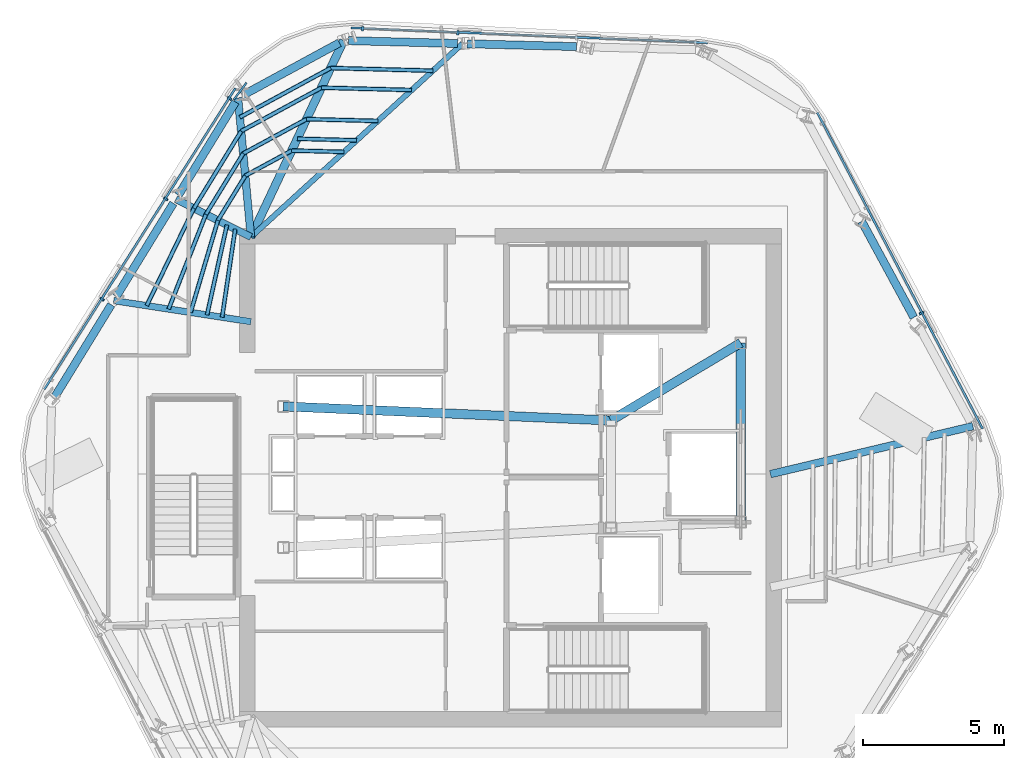
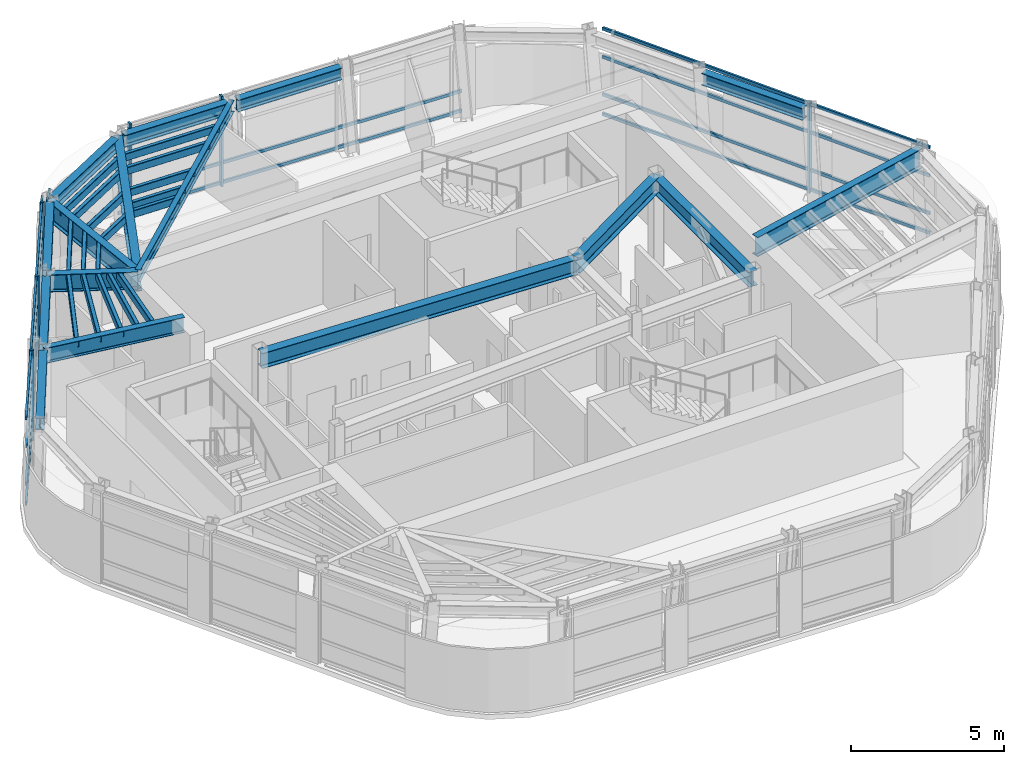
# One storey, part 4 of 13: 34 members, 16 beams, 3 elements without a shape of their own.
"""IFC4 building model written with IfcOpenShell, lengths in metres."""

from ifc_helpers import new_model, si_unit, direction, frame, origin, origin_2d, place, context, subcontext, project, spatial, rectangle, hollow_rectangle, i_section, extrude, material, layer, layer_set, material_profile, profile_set, type_object, element, aggregate, save


model = new_model("IFC4")

# Units and contexts
model_context = context("Model", 3, precision=1e-05, world=origin(), true_north=direction((0.0, 1.0)))
body_context = subcontext(model_context, "Body", "Model", "MODEL_VIEW")
ifc_project = project(units=[si_unit("LENGTHUNIT", "METRE"), si_unit("AREAUNIT", "SQUARE_METRE"), si_unit("VOLUMEUNIT", "CUBIC_METRE"), si_unit("PLANEANGLEUNIT", "RADIAN"), si_unit("MASSUNIT", "GRAM", prefix="KILO")], contexts=[model_context])

# Site, building, storey
site_placement = place(None, origin())
site = spatial("IfcSite", under=ifc_project, at=site_placement, CompositionType="ELEMENT")
building_placement = place(site_placement, origin())
building = spatial("IfcBuilding", under=site, at=building_placement, Name="Valkerne Bourse Tower", CompositionType="ELEMENT")
storey_placement = place(building_placement, frame((0.0, 0.0, 273.60009765625)))
storey = spatial("IfcBuildingStorey", under=building, at=storey_placement, Name="L69", CompositionType="ELEMENT", Elevation=273.60009765625)

# Beams
ifc_material_1 = material(Name="Steel ASTM A992", Category="steel")
ifc_material_profile_1 = material_profile(ifc_material_1, i_section(OverallWidth=0.284423828125, OverallDepth=0.47509765625, WebThickness=0.014892578125, FlangeThickness=0.02392578125, FilletRadius=0.017822265625, at=origin_2d()), Name="W18X106")
ifc_profile_set_1 = profile_set([ifc_material_profile_1], Name="Steel ASTM A992")
beam_type_1 = type_object("IfcBeamType", Name="BM-W18X106", PredefinedType="BEAM", material=ifc_profile_set_1)
beam_1_placement = place(storey_placement, frame((49.13330078125, 42.142822265625, 3.3623046875), z_axis=(-0.999657618241, 0.026165746551, 0.0), x_axis=(-0.026165746551, -0.999657618241, 0.0)))
element("IfcBeam", 1, at=beam_1_placement, inside=storey, type_object=beam_type_1, Name="L69 Hexagonal Spandrel Ring Beam 01", PredefinedType="BEAM", context=body_context, shape_type="SweptSolid", body=[
    extrude(i_section(OverallWidth=0.284423828125, OverallDepth=0.47509765625, WebThickness=0.014892578125, FlangeThickness=0.02392578125, FilletRadius=0.017822265625, at=origin_2d()), origin(), (0.0, 0.0, 1.0), 3.8720703125),
])
beam_2_placement = place(storey_placement, frame((44.922607421875, 42.253173828125, 3.3623046875), z_axis=(-0.99965757507, 0.02616739584, 0.0), x_axis=(-0.02616739584, -0.99965757507, 0.0)))
element("IfcBeam", 2, at=beam_2_placement, inside=storey, type_object=beam_type_1, Name="L69 Hexagonal Spandrel Ring Beam 02", PredefinedType="BEAM", context=body_context, shape_type="SweptSolid", body=[
    extrude(i_section(OverallWidth=0.284423828125, OverallDepth=0.47509765625, WebThickness=0.014892578125, FlangeThickness=0.02392578125, FilletRadius=0.017822265625, at=origin_2d()), origin(), (0.0, 0.0, 1.0), 3.871826171875),
])
beam_3_placement = place(storey_placement, frame((40.732666015625, 42.27783203125, 3.3623046875), z_axis=(-0.878816082178, -0.47716065817, 0.0), x_axis=(0.47716065817, -0.878816082178, 0.0)))
element("IfcBeam", 3, at=beam_3_placement, inside=storey, type_object=beam_type_1, Name="L69 Hexagonal Spandrel Ring Beam 03", PredefinedType="BEAM", context=body_context, shape_type="SweptSolid", body=[
    extrude(i_section(OverallWidth=0.284423828125, OverallDepth=0.47509765625, WebThickness=0.014892578125, FlangeThickness=0.02392578125, FilletRadius=0.017822265625, at=origin_2d()), origin(), (0.0, 0.0, 1.0), 3.915771484375),
])
for number, where, z_axis, x_axis, name in (
    (4, (37.05322265625, 40.183349609375, 3.3623046875), (-0.522502916633, -0.852637497481, 0.0), (0.852637497481, -0.522502916633, 0.0), "L69 Hexagonal Spandrel Ring Beam 04"),
    (5, (34.8525390625, 36.592041015625, 3.3623046875), (-0.522502916633, -0.852637497481, 0.0), (0.852637497481, -0.522502916633, 0.0), "L69 Hexagonal Spandrel Ring Beam 05"),
    (6, (32.65185546875, 33.000732421875, 3.3623046875), (-0.522502916633, -0.852637497481, 0.0), (0.852637497481, -0.522502916633, 0.0), "L69 Hexagonal Spandrel Ring Beam 06"),
    (7, (61.080810546875, 32.55078125, 3.3623046875), (-0.477172563431, 0.878809618011, 0.0), (-0.878809618011, -0.477172563431, 0.0), "L69 Hexagonal Spandrel Ring Beam 21"),
):
    element("IfcBeam", number, at=place(storey_placement, frame(where, z_axis=z_axis, x_axis=x_axis)), inside=storey, type_object=beam_type_1, Name=name, PredefinedType="BEAM", context=body_context, shape_type="SweptSolid", body=[
        extrude(i_section(OverallWidth=0.284423828125, OverallDepth=0.47509765625, WebThickness=0.014892578125, FlangeThickness=0.02392578125, FilletRadius=0.017822265625, at=origin_2d()), origin(), (0.0, 0.0, 1.0), 3.8720703125),
    ])
ifc_material_profile_2 = material_profile(ifc_material_1, i_section(OverallWidth=0.1904296875, OverallDepth=0.457275390625, WebThickness=0.009033203125, FlangeThickness=0.014404296875, FilletRadius=0.01513671875, at=origin_2d()), Name="W18X50")
ifc_profile_set_2 = profile_set([ifc_material_profile_2], Name="Steel ASTM A992")
beam_type_2 = type_object("IfcBeamType", Name="BM-W18X50", PredefinedType="JOIST", material=ifc_profile_set_2)
beam_4_placement = place(storey_placement, frame((45.092529296875, 42.248779296875, 3.371337890625), z_axis=(-0.738094854581, -0.674696958375, 0.0), x_axis=(0.674696958375, -0.738094854581, 0.0)))
element("IfcBeam", 8, at=beam_4_placement, inside=storey, type_object=beam_type_2, Name="L69 Radial Composite Floor Beam 02", PredefinedType="JOIST", context=body_context, shape_type="SweptSolid", body=[
    extrude(i_section(OverallWidth=0.1904296875, OverallDepth=0.457275390625, WebThickness=0.009033203125, FlangeThickness=0.014404296875, FilletRadius=0.01513671875, at=origin_2d()), origin(), (0.0, 0.0, 1.0), 10.151123046875),
])
ifc_material_profile_3 = material_profile(ifc_material_1, i_section(OverallWidth=0.3251953125, OverallDepth=0.612060546875, WebThickness=0.0126953125, FlangeThickness=0.01904296875, FilletRadius=0.020263671875, at=origin_2d()), Name="W24X104")
ifc_profile_set_3 = profile_set([ifc_material_profile_3], Name="Steel ASTM A992")
beam_type_3 = type_object("IfcBeamType", Name="BM-W24X104", PredefinedType="BEAM", material=ifc_profile_set_3)
beam_5_placement = place(storey_placement, frame((50.35009765625, 28.89990234375, 3.293701171875), z_axis=(0.858307823492, 0.513135148019, 0.0), x_axis=(-0.513135148019, 0.858307823492, 0.0)))
element("IfcBeam", 9, at=beam_5_placement, inside=storey, type_object=beam_type_3, Name="L69 Core Frame Girder CG-NE", PredefinedType="BEAM", context=body_context, shape_type="SweptSolid", body=[
    extrude(i_section(OverallWidth=0.3251953125, OverallDepth=0.612060546875, WebThickness=0.0126953125, FlangeThickness=0.01904296875, FilletRadius=0.020263671875, at=origin_2d()), origin(), (0.0, 0.0, 1.0), 5.359130859375),
])
beam_6_placement = place(storey_placement, frame((54.949951171875, 25.300048828125, 3.293701171875), z_axis=(0.0, 1.0, 0.0), x_axis=(-1.0, 0.0, 0.0)))
element("IfcBeam", 10, at=beam_6_placement, inside=storey, type_object=beam_type_3, Name="L69 Core Frame Girder CG-EE", PredefinedType="BEAM", context=body_context, shape_type="SweptSolid", body=[
    extrude(i_section(OverallWidth=0.3251953125, OverallDepth=0.612060546875, WebThickness=0.0126953125, FlangeThickness=0.01904296875, FilletRadius=0.020263671875, at=origin_2d()), origin(), (0.0, 0.0, 1.0), 6.349853515625),
])
beam_7_placement = place(storey_placement, frame((38.75, 29.39990234375, 3.293701171875), z_axis=(0.999072354402, -0.043063101019, 0.0), x_axis=(0.043063101019, 0.999072354402, 0.0)))
element("IfcBeam", 11, at=beam_7_placement, inside=storey, type_object=beam_type_3, Name="L69 Core Frame Girder CG-NW", PredefinedType="BEAM", context=body_context, shape_type="SweptSolid", body=[
    extrude(i_section(OverallWidth=0.3251953125, OverallDepth=0.612060546875, WebThickness=0.0126953125, FlangeThickness=0.01904296875, FilletRadius=0.020263671875, at=origin_2d()), origin(), (0.0, 0.0, 1.0), 11.61083984375),
])
ifc_material_profile_4 = material_profile(ifc_material_1, i_section(OverallWidth=0.228271484375, OverallDepth=0.607177734375, WebThickness=0.01123046875, FlangeThickness=0.017333984375, FilletRadius=0.017822265625, at=origin_2d()), Name="W24X76")
ifc_profile_set_4 = profile_set([ifc_material_profile_4], Name="Steel ASTM A992")
beam_type_4 = type_object("IfcBeamType", Name="BM-W24X76", PredefinedType="JOIST", material=ifc_profile_set_4)
beam_8_placement = place(storey_placement, frame((32.740478515625, 33.145751953125, 3.29638671875), z_axis=(0.988426170868, -0.151702685355, 0.0), x_axis=(0.151702685355, 0.988426170868, 0.0)))
element("IfcBeam", 12, at=beam_8_placement, inside=storey, type_object=beam_type_4, Name="L69 Radial Composite Floor Beam 06", PredefinedType="JOIST", context=body_context, shape_type="SweptSolid", body=[
    extrude(i_section(OverallWidth=0.228271484375, OverallDepth=0.607177734375, WebThickness=0.01123046875, FlangeThickness=0.017333984375, FilletRadius=0.017822265625, at=origin_2d()), origin(), (0.0, 0.0, 1.0), 4.91650390625),
])
ifc_material_profile_5 = material_profile(ifc_material_1, i_section(OverallWidth=0.255859375, OverallDepth=0.693359375, WebThickness=0.014404296875, FlangeThickness=0.023681640625, FilletRadius=0.02294921875, at=origin_2d()), Name="W27X114")
ifc_profile_set_5 = profile_set([ifc_material_profile_5], Name="Steel ASTM A992")
beam_type_5 = type_object("IfcBeamType", Name="BM-W27X114", PredefinedType="BEAM", material=ifc_profile_set_5)
beam_9_placement = place(storey_placement, frame((34.94140625, 36.737060546875, 3.253173828125), z_axis=(0.89337466155, -0.449312490478, 0.0), x_axis=(0.449312490478, 0.89337466155, 0.0)))
element("IfcBeam", 13, at=beam_9_placement, inside=storey, type_object=beam_type_5, Name="L69 Radial Composite Floor Beam 05", PredefinedType="BEAM", context=body_context, shape_type="SweptSolid", body=[
    extrude(i_section(OverallWidth=0.255859375, OverallDepth=0.693359375, WebThickness=0.014404296875, FlangeThickness=0.023681640625, FilletRadius=0.02294921875, at=origin_2d()), origin(), (0.0, 0.0, 1.0), 2.97607421875),
])
ifc_material_profile_6 = material_profile(ifc_material_1, i_section(OverallWidth=0.26806640625, OverallDepth=0.76953125, WebThickness=0.015625, FlangeThickness=0.025390625, FilletRadius=0.025390625, at=origin_2d()), Name="W30X132")
ifc_profile_set_6 = profile_set([ifc_material_profile_6], Name="Steel ASTM A992")
beam_type_6 = type_object("IfcBeamType", Name="BM-W30X132", PredefinedType="BEAM", material=ifc_profile_set_6)
beam_10_placement = place(storey_placement, frame((37.14208984375, 40.328369140625, 3.215087890625), z_axis=(0.09253238967, -0.995709674987, 0.0), x_axis=(0.995709674987, 0.09253238967, 0.0)))
element("IfcBeam", 14, at=beam_10_placement, inside=storey, type_object=beam_type_6, Name="L69 Radial Composite Floor Beam 04", PredefinedType="BEAM", context=body_context, shape_type="SweptSolid", body=[
    extrude(i_section(OverallWidth=0.26806640625, OverallDepth=0.76953125, WebThickness=0.015625, FlangeThickness=0.025390625, FilletRadius=0.025390625, at=origin_2d()), origin(), (0.0, 0.0, 1.0), 4.94970703125),
])
beam_11_placement = place(storey_placement, frame((63.171630859375, 28.69970703125, 3.215087890625), z_axis=(-0.973044892077, -0.230615780039, 0.0), x_axis=(0.230615780039, -0.973044892077, 0.0)))
element("IfcBeam", 15, at=beam_11_placement, inside=storey, type_object=beam_type_6, Name="L69 Radial Composite Floor Beam 20", PredefinedType="BEAM", context=body_context, shape_type="SweptSolid", body=[
    extrude(i_section(OverallWidth=0.26806640625, OverallDepth=0.76953125, WebThickness=0.015625, FlangeThickness=0.025390625, FilletRadius=0.025390625, at=origin_2d()), origin(), (0.0, 0.0, 1.0), 7.370361328125),
])
ifc_material_profile_7 = material_profile(ifc_material_1, i_section(OverallWidth=0.2919921875, OverallDepth=0.8583984375, WebThickness=0.01708984375, FlangeThickness=0.031005859375, FilletRadius=0.025390625, at=origin_2d()), Name="W33X169")
ifc_profile_set_7 = profile_set([ifc_material_profile_7], Name="Steel ASTM A992")
beam_type_7 = type_object("IfcBeamType", Name="BM-W33X169", PredefinedType="BEAM", material=ifc_profile_set_7)
beam_12_placement = place(storey_placement, frame((40.882080078125, 42.35888671875, 3.170654296875), z_axis=(-0.426559417166, -0.904459542283, 0.0), x_axis=(0.904459542283, -0.426559417166, 0.0)))
element("IfcBeam", 16, at=beam_12_placement, inside=storey, type_object=beam_type_7, Name="L69 Radial Composite Floor Beam 03", PredefinedType="BEAM", context=body_context, shape_type="SweptSolid", body=[
    extrude(i_section(OverallWidth=0.2919921875, OverallDepth=0.8583984375, WebThickness=0.01708984375, FlangeThickness=0.031005859375, FilletRadius=0.025390625, at=origin_2d()), origin(), (0.0, 0.0, 1.0), 7.694091796875),
])

# Curtain wall, members
ifc_material_2 = material(Name="Aluminium AA 6063-T6", Category="aluminium")
ifc_layer = layer(ifc_material_2, 0.2451171875)
ifc_layer_set = layer_set([ifc_layer], Name="Aluminium AA 6063-T6")
curtain_wall_type = type_object("IfcCurtainWallType", Name="CW-05", PredefinedType="NOTDEFINED", material=ifc_layer_set)
curtain_wall_1_placement = place(storey_placement, origin())
curtain_wall_1 = element("IfcCurtainWall", 17, at=curtain_wall_1_placement, inside=storey, type_object=curtain_wall_type, Name="L69 Hexagonal Stick Curtain Wall Face 1", PredefinedType="NOTDEFINED")
ifc_material_profile_8 = material_profile(ifc_material_2, rectangle(XDim=0.074951171875, YDim=0.159912109375, at=origin_2d()), Name="CWM-75X160")
ifc_profile_set_8 = profile_set([ifc_material_profile_8], Name="Aluminium AA 6063-T6")
member_type_1 = type_object("IfcMemberType", Name="CW-MUL-160X75", PredefinedType="MULLION", material=ifc_profile_set_8)
member_1_placement = place(storey_placement, frame((44.927001953125, 42.630859375, 0.0), z_axis=(0.0, 0.0, 1.0), x_axis=(-0.999122631709, 0.041880386903, 0.0)))
member_1 = element("IfcMember", 18, at=member_1_placement, type_object=member_type_1, Name="CW-L69-F1 Jamb Mullion 02A", PredefinedType="MULLION", context=body_context, shape_type="SweptSolid", body=[
    extrude(rectangle(XDim=0.074951171875, YDim=0.159912109375, at=origin_2d()), origin(), (0.0, 0.0, 1.0), 3.599853515625),
])
member_2_placement = place(storey_placement, frame((41.557861328125, 42.772216796875, 0.0), z_axis=(0.0, 0.0, 1.0), x_axis=(-0.999122631709, 0.041880386903, 0.0)))
member_2 = element("IfcMember", 19, at=member_2_placement, type_object=member_type_1, Name="CW-L69-F1 Jamb Mullion 02B", PredefinedType="MULLION", context=body_context, shape_type="SweptSolid", body=[
    extrude(rectangle(XDim=0.074951171875, YDim=0.159912109375, at=origin_2d()), origin(), (0.0, 0.0, 1.0), 3.599853515625),
])

curtain_wall_2_placement = place(storey_placement, origin())
curtain_wall_2 = element("IfcCurtainWall", 20, at=curtain_wall_2_placement, inside=storey, type_object=curtain_wall_type, Name="L69 Hexagonal Stick Curtain Wall Face 2", PredefinedType="NOTDEFINED")
member_3_placement = place(storey_placement, frame((36.840576171875, 40.305908203125, 0.0), z_axis=(0.0, 0.0, 1.0), x_axis=(-0.535816628188, -0.844334377458, 0.0)))
member_3 = element("IfcMember", 21, at=member_3_placement, type_object=member_type_1, Name="CW-L69-F2 Jamb Mullion 00A", PredefinedType="MULLION", context=body_context, shape_type="SweptSolid", body=[
    extrude(rectangle(XDim=0.074951171875, YDim=0.159912109375, at=origin_2d()), origin(), (0.0, 0.0, 1.0), 3.599853515625),
])
member_4_placement = place(storey_placement, frame((34.58349609375, 36.74951171875, 0.0), z_axis=(0.0, 0.0, 1.0), x_axis=(-0.535827369105, -0.84432756115, 0.0)))
member_4 = element("IfcMember", 22, at=member_4_placement, type_object=member_type_1, Name="CW-L69-F2 Jamb Mullion 01A", PredefinedType="MULLION", context=body_context, shape_type="SweptSolid", body=[
    extrude(rectangle(XDim=0.074951171875, YDim=0.159912109375, at=origin_2d()), origin(), (0.0, 0.0, 1.0), 3.599853515625),
])
member_5_placement = place(storey_placement, frame((32.32666015625, 33.193359375, 0.0), z_axis=(0.0, 0.0, 1.0), x_axis=(-0.535827369105, -0.84432756115, 0.0)))
member_5 = element("IfcMember", 23, at=member_5_placement, type_object=member_type_1, Name="CW-L69-F2 Jamb Mullion 02A", PredefinedType="MULLION", context=body_context, shape_type="SweptSolid", body=[
    extrude(rectangle(XDim=0.074951171875, YDim=0.159912109375, at=origin_2d()), origin(), (0.0, 0.0, 1.0), 3.599853515625),
])

# Curtain wall, member
curtain_wall_3_placement = place(storey_placement, origin())
curtain_wall_3 = element("IfcCurtainWall", 24, at=curtain_wall_3_placement, inside=storey, type_object=curtain_wall_type, Name="L69 Hexagonal Stick Curtain Wall Face 6", PredefinedType="NOTDEFINED")
member_6_placement = place(storey_placement, frame((61.3515625, 32.704833984375, 0.0), z_axis=(0.0, 0.0, 1.0), x_axis=(-0.463294468527, 0.886204398225, 0.0)))
member_6 = element("IfcMember", 25, at=member_6_placement, type_object=member_type_1, Name="CW-L69-F6 Jamb Mullion 01A", PredefinedType="MULLION", context=body_context, shape_type="SweptSolid", body=[
    extrude(rectangle(XDim=0.074951171875, YDim=0.159912109375, at=origin_2d()), origin(), (0.0, 0.0, 1.0), 3.599853515625),
])

# Member
ifc_material_profile_9 = material_profile(ifc_material_2, rectangle(XDim=0.074951171875, YDim=0.1201171875, at=origin_2d()), Name="CWT-75X120")
ifc_profile_set_9 = profile_set([ifc_material_profile_9], Name="Aluminium AA 6063-T6")
member_type_2 = type_object("IfcMemberType", Name="CW-TRN-120X75", PredefinedType="USERDEFINED", material=ifc_profile_set_9)
member_7_placement = place(storey_placement, frame((53.763916015625, 42.280517578125, 0.119873046875), z_axis=(-0.999122290866, 0.041888517464, 0.0), x_axis=(-0.041888517464, -0.999122290866, 0.0)))
member_7 = element("IfcMember", 26, at=member_7_placement, type_object=member_type_2, Name="CW-L69-F1 Continuous Face Transom 1", ObjectType="TRANSOM", PredefinedType="USERDEFINED", context=body_context, shape_type="SweptSolid", body=[
    extrude(rectangle(XDim=0.074951171875, YDim=0.1201171875, at=origin_2d()), origin(), (0.0, 0.0, 1.0), 12.6357421875),
])

member_8_placement = place(storey_placement, frame((53.763916015625, 42.280517578125, 0.89990234375), z_axis=(-0.999122290866, 0.041888517464, 0.0), x_axis=(-0.041888517464, -0.999122290866, 0.0)))
member_8 = element("IfcMember", 27, at=member_8_placement, type_object=member_type_2, Name="CW-L69-F1 Continuous Face Transom 2", ObjectType="TRANSOM", PredefinedType="USERDEFINED", context=body_context, shape_type="SweptSolid", body=[
    extrude(rectangle(XDim=0.074951171875, YDim=0.1201171875, at=origin_2d()), origin(), (0.0, 0.0, 1.0), 12.6357421875),
])

aggregate(curtain_wall_1, [member_7, member_8, member_1, member_2])

member_9_placement = place(storey_placement, frame((37.048583984375, 40.67138671875, 0.119873046875), z_axis=(-0.535819936833, -0.844332277775, 0.0), x_axis=(0.844332277775, -0.535819936833, 0.0)))
member_9 = element("IfcMember", 28, at=member_9_placement, type_object=member_type_2, Name="CW-L69-F2 Continuous Face Transom 1", ObjectType="TRANSOM", PredefinedType="USERDEFINED", context=body_context, shape_type="SweptSolid", body=[
    extrude(rectangle(XDim=0.074951171875, YDim=0.1201171875, at=origin_2d()), origin(), (0.0, 0.0, 1.0), 12.63623046875),
])

member_10_placement = place(storey_placement, frame((37.048583984375, 40.67138671875, 0.89990234375), z_axis=(-0.535819936833, -0.844332277775, 0.0), x_axis=(0.844332277775, -0.535819936833, 0.0)))
member_10 = element("IfcMember", 29, at=member_10_placement, type_object=member_type_2, Name="CW-L69-F2 Continuous Face Transom 2", ObjectType="TRANSOM", PredefinedType="USERDEFINED", context=body_context, shape_type="SweptSolid", body=[
    extrude(rectangle(XDim=0.074951171875, YDim=0.1201171875, at=origin_2d()), origin(), (0.0, 0.0, 1.0), 12.63623046875),
])

member_11_placement = place(storey_placement, frame((37.048583984375, 40.67138671875, 2.39990234375), z_axis=(-0.535819936833, -0.844332277775, 0.0), x_axis=(0.844332277775, -0.535819936833, 0.0)))
member_11 = element("IfcMember", 30, at=member_11_placement, type_object=member_type_2, Name="CW-L69-F2 Continuous Face Transom 3", ObjectType="TRANSOM", PredefinedType="USERDEFINED", context=body_context, shape_type="SweptSolid", body=[
    extrude(rectangle(XDim=0.074951171875, YDim=0.1201171875, at=origin_2d()), origin(), (0.0, 0.0, 1.0), 12.63623046875),
])

member_12_placement = place(storey_placement, frame((37.048583984375, 40.67138671875, 3.52001953125), z_axis=(-0.535819936833, -0.844332277775, 0.0), x_axis=(0.844332277775, -0.535819936833, 0.0)))
member_12 = element("IfcMember", 31, at=member_12_placement, type_object=member_type_2, Name="CW-L69-F2 Continuous Face Transom 4", ObjectType="TRANSOM", PredefinedType="USERDEFINED", context=body_context, shape_type="SweptSolid", body=[
    extrude(rectangle(XDim=0.074951171875, YDim=0.1201171875, at=origin_2d()), origin(), (0.0, 0.0, 1.0), 12.63623046875),
])

aggregate(curtain_wall_2, [member_9, member_10, member_11, member_12, member_3, member_4, member_5])

member_13_placement = place(storey_placement, frame((63.515380859375, 28.609375, 0.119873046875), z_axis=(-0.463300767472, 0.886201105201, 0.0), x_axis=(-0.886201105201, -0.463300767472, 0.0)))
member_13 = element("IfcMember", 32, at=member_13_placement, type_object=member_type_2, Name="CW-L69-F6 Continuous Face Transom 1", ObjectType="TRANSOM", PredefinedType="USERDEFINED", context=body_context, shape_type="SweptSolid", body=[
    extrude(rectangle(XDim=0.074951171875, YDim=0.1201171875, at=origin_2d()), origin(), (0.0, 0.0, 1.0), 12.635986328125),
])

member_14_placement = place(storey_placement, frame((63.515380859375, 28.609375, 0.89990234375), z_axis=(-0.463300767472, 0.886201105201, 0.0), x_axis=(-0.886201105201, -0.463300767472, 0.0)))
member_14 = element("IfcMember", 33, at=member_14_placement, type_object=member_type_2, Name="CW-L69-F6 Continuous Face Transom 2", ObjectType="TRANSOM", PredefinedType="USERDEFINED", context=body_context, shape_type="SweptSolid", body=[
    extrude(rectangle(XDim=0.074951171875, YDim=0.1201171875, at=origin_2d()), origin(), (0.0, 0.0, 1.0), 12.635986328125),
])

member_15_placement = place(storey_placement, frame((63.515380859375, 28.609375, 2.39990234375), z_axis=(-0.463300767472, 0.886201105201, 0.0), x_axis=(-0.886201105201, -0.463300767472, 0.0)))
member_15 = element("IfcMember", 34, at=member_15_placement, type_object=member_type_2, Name="CW-L69-F6 Continuous Face Transom 3", ObjectType="TRANSOM", PredefinedType="USERDEFINED", context=body_context, shape_type="SweptSolid", body=[
    extrude(rectangle(XDim=0.074951171875, YDim=0.1201171875, at=origin_2d()), origin(), (0.0, 0.0, 1.0), 12.635986328125),
])

member_16_placement = place(storey_placement, frame((63.515380859375, 28.609375, 3.52001953125), z_axis=(-0.463300767472, 0.886201105201, 0.0), x_axis=(-0.886201105201, -0.463300767472, 0.0)))
member_16 = element("IfcMember", 35, at=member_16_placement, type_object=member_type_2, Name="CW-L69-F6 Continuous Face Transom 4", ObjectType="TRANSOM", PredefinedType="USERDEFINED", context=body_context, shape_type="SweptSolid", body=[
    extrude(rectangle(XDim=0.074951171875, YDim=0.1201171875, at=origin_2d()), origin(), (0.0, 0.0, 1.0), 12.635986328125),
])

aggregate(curtain_wall_3, [member_13, member_14, member_15, member_16, member_6])

# Members
ifc_material_3 = material(Name="Bronze Anodised Aluminium AA 6063-T6", Category="aluminium")
ifc_material_profile_10 = material_profile(ifc_material_3, rectangle(XDim=0.06494140625, YDim=0.75, at=origin_2d()), Name="FIN-65X750")
ifc_profile_set_10 = profile_set([ifc_material_profile_10], Name="Bronze Anodised Aluminium AA 6063-T6")
member_type_3 = type_object("IfcMemberType", Name="FIN-SOLAR-650", PredefinedType="USERDEFINED", material=ifc_profile_set_10)
member_17_placement = place(storey_placement, frame((37.217529296875, 40.564208984375, 0.00390625), z_axis=(0.0, 0.0, 1.0), x_axis=(-0.799328279338, 0.60089458464, 0.0)))
element("IfcMember", 36, at=member_17_placement, inside=storey, type_object=member_type_3, Name="L69 Bronze Anodised Solar Fin F2-00", ObjectType="SOLAR_FIN", PredefinedType="USERDEFINED", context=body_context, shape_type="SweptSolid", body=[
    extrude(rectangle(XDim=0.06494140625, YDim=0.75, at=origin_2d()), origin(), (0.0, 0.0, 1.0), 3.592041015625),
])
ifc_material_4 = material(Name="Steel ASTM A500 Grade C", Category="steel")
ifc_material_profile_11 = material_profile(ifc_material_4, hollow_rectangle(XDim=0.14990234375, YDim=0.300048828125, WallThickness=0.012451171875, OuterFilletRadius=0.02490234375, at=origin_2d()), Name="HSS300X150X12.5")
ifc_profile_set_11 = profile_set([ifc_material_profile_11], Name="Steel ASTM A500 Grade C")
member_type_4 = type_object("IfcMemberType", Name="MBR-HSS300X150X12.5", PredefinedType="PURLIN", material=ifc_profile_set_11)
member_18_placement = place(storey_placement, frame((36.749267578125, 35.827880859375, 3.43994140625), z_axis=(-0.215655992101, -0.976469402015, 0.0), x_axis=(0.976469402015, -0.215655992101, 0.0)))
element("IfcMember", 37, at=member_18_placement, inside=storey, type_object=member_type_4, Name="L69 Secondary Composite Floor Purlin I-05", PredefinedType="PURLIN", context=body_context, shape_type="SweptSolid", body=[
    extrude(hollow_rectangle(XDim=0.14990234375, YDim=0.300048828125, WallThickness=0.012451171875, OuterFilletRadius=0.02490234375, at=origin_2d()), origin(), (0.0, 0.0, 1.0), 3.26611328125),
])
member_19_placement = place(storey_placement, frame((40.896728515625, 38.413330078125, 3.43994140625), z_axis=(-0.999656285734, 0.02621660528, 0.0), x_axis=(-0.02621660528, -0.999656285734, 0.0)))
element("IfcMember", 38, at=member_19_placement, inside=storey, type_object=member_type_4, Name="L69 Secondary Composite Floor Purlin K-02", PredefinedType="PURLIN", context=body_context, shape_type="SweptSolid", body=[
    extrude(hollow_rectangle(XDim=0.14990234375, YDim=0.300048828125, WallThickness=0.012451171875, OuterFilletRadius=0.02490234375, at=origin_2d()), origin(), (0.0, 0.0, 1.0), 1.853271484375),
])
member_20_placement = place(storey_placement, frame((39.044189453125, 38.4619140625, 3.43994140625), z_axis=(-0.878875297349, -0.477051581813, 0.0), x_axis=(0.477051581813, -0.878875297349, 0.0)))
element("IfcMember", 39, at=member_20_placement, inside=storey, type_object=member_type_4, Name="L69 Secondary Composite Floor Purlin K-03", PredefinedType="PURLIN", context=body_context, shape_type="SweptSolid", body=[
    extrude(hollow_rectangle(XDim=0.14990234375, YDim=0.300048828125, WallThickness=0.012451171875, OuterFilletRadius=0.02490234375, at=origin_2d()), origin(), (0.0, 0.0, 1.0), 1.87255859375),
])
member_21_placement = place(storey_placement, frame((37.3984375, 37.568603515625, 3.43994140625), z_axis=(-0.522435405432, -0.852678865195, 0.0), x_axis=(0.852678865195, -0.522435405432, 0.0)))
element("IfcMember", 40, at=member_21_placement, inside=storey, type_object=member_type_4, Name="L69 Secondary Composite Floor Purlin K-04", PredefinedType="PURLIN", context=body_context, shape_type="SweptSolid", body=[
    extrude(hollow_rectangle(XDim=0.14990234375, YDim=0.300048828125, WallThickness=0.012451171875, OuterFilletRadius=0.02490234375, at=origin_2d()), origin(), (0.0, 0.0, 1.0), 1.853271484375),
])
member_22_placement = place(storey_placement, frame((36.43017578125, 35.98828125, 3.43994140625), z_axis=(-0.284699304461, -0.958616871351, 0.0), x_axis=(0.958616871351, -0.284699304461, 0.0)))
element("IfcMember", 41, at=member_22_placement, inside=storey, type_object=member_type_4, Name="L69 Secondary Composite Floor Purlin K-05", PredefinedType="PURLIN", context=body_context, shape_type="SweptSolid", body=[
    extrude(hollow_rectangle(XDim=0.14990234375, YDim=0.300048828125, WallThickness=0.012451171875, OuterFilletRadius=0.02490234375, at=origin_2d()), origin(), (0.0, 0.0, 1.0), 3.40087890625),
])
member_23_placement = place(storey_placement, frame((41.34619140625, 38.82421875, 3.43994140625), z_axis=(-0.99965672163, 0.02619997902, 0.0), x_axis=(-0.02619997902, -0.99965672163, 0.0)))
element("IfcMember", 42, at=member_23_placement, inside=storey, type_object=member_type_4, Name="L69 Secondary Composite Floor Purlin M-02", PredefinedType="PURLIN", context=body_context, shape_type="SweptSolid", body=[
    extrude(hollow_rectangle(XDim=0.14990234375, YDim=0.300048828125, WallThickness=0.012451171875, OuterFilletRadius=0.02490234375, at=origin_2d()), origin(), (0.0, 0.0, 1.0), 2.10595703125),
])
member_24_placement = place(storey_placement, frame((43.29443359375, 40.60498046875, 3.43994140625), z_axis=(-0.999657813856, 0.026158272059, 0.0), x_axis=(-0.026158272059, -0.999657813856, 0.0)))
element("IfcMember", 43, at=member_24_placement, inside=storey, type_object=member_type_4, Name="L69 Secondary Composite Floor Purlin O-02", PredefinedType="PURLIN", context=body_context, shape_type="SweptSolid", body=[
    extrude(hollow_rectangle(XDim=0.14990234375, YDim=0.300048828125, WallThickness=0.012451171875, OuterFilletRadius=0.02490234375, at=origin_2d()), origin(), (0.0, 0.0, 1.0), 3.201171875),
])
member_25_placement = place(storey_placement, frame((40.09423828125, 40.688720703125, 3.43994140625), z_axis=(-0.878819969618, -0.477153498364, 0.0), x_axis=(0.477153498364, -0.878819969618, 0.0)))
element("IfcMember", 44, at=member_25_placement, inside=storey, type_object=member_type_4, Name="L69 Secondary Composite Floor Purlin O-03", PredefinedType="PURLIN", context=body_context, shape_type="SweptSolid", body=[
    extrude(hollow_rectangle(XDim=0.14990234375, YDim=0.300048828125, WallThickness=0.012451171875, OuterFilletRadius=0.02490234375, at=origin_2d()), origin(), (0.0, 0.0, 1.0), 3.234130859375),
])
member_26_placement = place(storey_placement, frame((37.251953125, 39.1455078125, 3.43994140625), z_axis=(-0.522492309944, -0.852643997252, 0.0), x_axis=(0.852643997252, -0.522492309944, 0.0)))
element("IfcMember", 45, at=member_26_placement, inside=storey, type_object=member_type_4, Name="L69 Secondary Composite Floor Purlin O-04", PredefinedType="PURLIN", context=body_context, shape_type="SweptSolid", body=[
    extrude(hollow_rectangle(XDim=0.14990234375, YDim=0.300048828125, WallThickness=0.012451171875, OuterFilletRadius=0.02490234375, at=origin_2d()), origin(), (0.0, 0.0, 1.0), 3.201171875),
])
member_27_placement = place(storey_placement, frame((35.579345703125, 36.416015625, 3.43994140625), z_axis=(-0.436276631826, -0.899812591889, 0.0), x_axis=(0.899812591889, -0.436276631826, 0.0)))
element("IfcMember", 46, at=member_27_placement, inside=storey, type_object=member_type_4, Name="L69 Secondary Composite Floor Purlin O-05", PredefinedType="PURLIN", context=body_context, shape_type="SweptSolid", body=[
    extrude(hollow_rectangle(XDim=0.14990234375, YDim=0.300048828125, WallThickness=0.012451171875, OuterFilletRadius=0.02490234375, at=origin_2d()), origin(), (0.0, 0.0, 1.0), 3.833251953125),
])
member_28_placement = place(storey_placement, frame((42.095703125, 39.50927734375, 3.43994140625), z_axis=(-0.999659843227, 0.026080602732, 0.0), x_axis=(-0.026080602732, -0.999659843227, 0.0)))
element("IfcMember", 47, at=member_28_placement, inside=storey, type_object=member_type_4, Name="L69 Secondary Composite Floor Purlin Z-02", PredefinedType="PURLIN", context=body_context, shape_type="SweptSolid", body=[
    extrude(hollow_rectangle(XDim=0.14990234375, YDim=0.300048828125, WallThickness=0.012451171875, OuterFilletRadius=0.02490234375, at=origin_2d()), origin(), (0.0, 0.0, 1.0), 2.527587890625),
])
member_29_placement = place(storey_placement, frame((39.569091796875, 39.5751953125, 3.43994140625), z_axis=(-0.878829375208, -0.477136174767, 0.0), x_axis=(0.477136174767, -0.878829375208, 0.0)))
element("IfcMember", 48, at=member_29_placement, inside=storey, type_object=member_type_4, Name="L69 Secondary Composite Floor Purlin Z-03", PredefinedType="PURLIN", context=body_context, shape_type="SweptSolid", body=[
    extrude(hollow_rectangle(XDim=0.14990234375, YDim=0.300048828125, WallThickness=0.012451171875, OuterFilletRadius=0.02490234375, at=origin_2d()), origin(), (0.0, 0.0, 1.0), 2.55322265625),
])
member_30_placement = place(storey_placement, frame((37.3251953125, 38.35693359375, 3.43994140625), z_axis=(-0.522457845647, -0.852665115695, 0.0), x_axis=(0.852665115695, -0.522457845647, 0.0)))
element("IfcMember", 49, at=member_30_placement, inside=storey, type_object=member_type_4, Name="L69 Secondary Composite Floor Purlin Z-04", PredefinedType="PURLIN", context=body_context, shape_type="SweptSolid", body=[
    extrude(hollow_rectangle(XDim=0.14990234375, YDim=0.300048828125, WallThickness=0.012451171875, OuterFilletRadius=0.02490234375, at=origin_2d()), origin(), (0.0, 0.0, 1.0), 2.527099609375),
])
member_31_placement = place(storey_placement, frame((36.0048828125, 36.2021484375, 3.43994140625), z_axis=(-0.366282919954, -0.930503531723, 0.0), x_axis=(0.930503531723, -0.366282919954, 0.0)))
element("IfcMember", 50, at=member_31_placement, inside=storey, type_object=member_type_4, Name="L69 Secondary Composite Floor Purlin Z-05", PredefinedType="PURLIN", context=body_context, shape_type="SweptSolid", body=[
    extrude(hollow_rectangle(XDim=0.14990234375, YDim=0.300048828125, WallThickness=0.012451171875, OuterFilletRadius=0.02490234375, at=origin_2d()), origin(), (0.0, 0.0, 1.0), 3.605224609375),
])
member_32_placement = place(storey_placement, frame((37.041748046875, 35.680908203125, 3.43994140625), z_axis=(-0.146332937961, -0.989235397298, 0.0), x_axis=(0.989235397298, -0.146332937961, 0.0)))
element("IfcMember", 51, at=member_32_placement, inside=storey, type_object=member_type_4, Name="L69 Secondary Composite Floor Purlin S-05", PredefinedType="PURLIN", context=body_context, shape_type="SweptSolid", body=[
    extrude(hollow_rectangle(XDim=0.14990234375, YDim=0.300048828125, WallThickness=0.012451171875, OuterFilletRadius=0.02490234375, at=origin_2d()), origin(), (0.0, 0.0, 1.0), 3.158203125),
])
member_33_placement = place(storey_placement, frame((44.043701171875, 41.289794921875, 3.43994140625), z_axis=(-0.999656247557, 0.026218060969, 0.0), x_axis=(-0.026218060969, -0.999656247557, 0.0)))
element("IfcMember", 52, at=member_33_placement, inside=storey, type_object=member_type_4, Name="L69 Secondary Composite Floor Purlin T-02", PredefinedType="PURLIN", context=body_context, shape_type="SweptSolid", body=[
    extrude(hollow_rectangle(XDim=0.14990234375, YDim=0.300048828125, WallThickness=0.012451171875, OuterFilletRadius=0.02490234375, at=origin_2d()), origin(), (0.0, 0.0, 1.0), 3.622314453125),
])
member_34_placement = place(storey_placement, frame((40.422607421875, 41.384765625, 3.43994140625), z_axis=(-0.878786296263, -0.477215512636, 0.0), x_axis=(0.477215512636, -0.878786296263, 0.0)))
element("IfcMember", 53, at=member_34_placement, inside=storey, type_object=member_type_4, Name="L69 Secondary Composite Floor Purlin T-03", PredefinedType="PURLIN", context=body_context, shape_type="SweptSolid", body=[
    extrude(hollow_rectangle(XDim=0.14990234375, YDim=0.300048828125, WallThickness=0.012451171875, OuterFilletRadius=0.02490234375, at=origin_2d()), origin(), (0.0, 0.0, 1.0), 3.659912109375),
])

save(model, "model.ifc")
